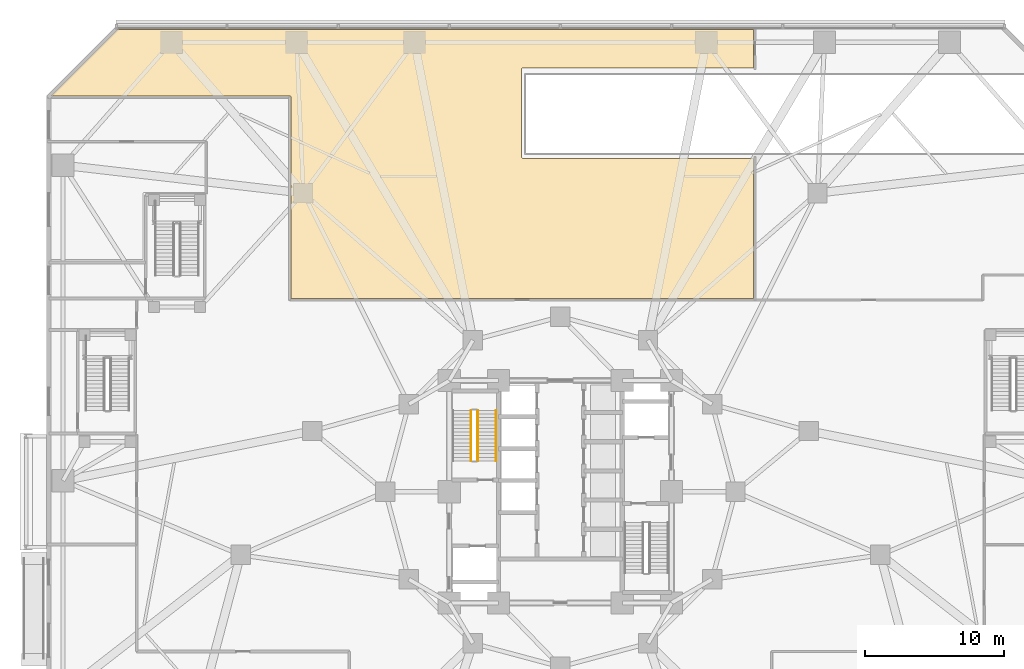
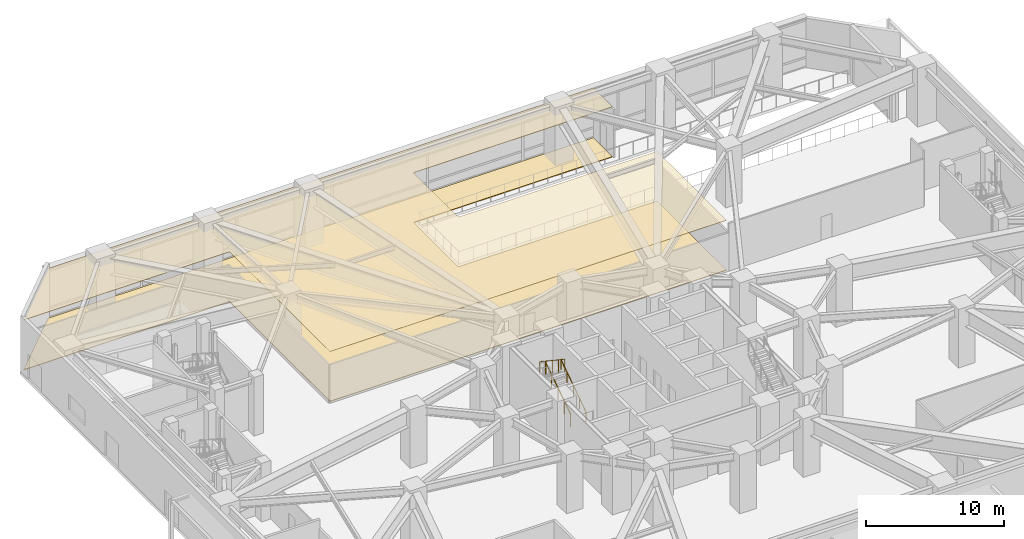
# One storey, part 26 of 30: 3 railings, 2 coverings.
"""IFC4 building model written with IfcOpenShell, lengths in metres."""

from ifc_helpers import new_model, si_unit, direction, frame, origin, origin_2d, place, context, subcontext, project, spatial, polyline, circle, outline, extrude, material, layer, layer_set, type_object, element, save


model = new_model("IFC4")

# Units and contexts
model_context = context("Model", 3, precision=1e-05, world=origin(), true_north=direction((0.0, 1.0)))
body_context = subcontext(model_context, "Body", "Model", "MODEL_VIEW")
ifc_project = project(units=[si_unit("LENGTHUNIT", "METRE"), si_unit("AREAUNIT", "SQUARE_METRE"), si_unit("VOLUMEUNIT", "CUBIC_METRE"), si_unit("PLANEANGLEUNIT", "RADIAN"), si_unit("MASSUNIT", "GRAM", prefix="KILO")], contexts=[model_context])

# Site, building, storey
site_placement = place(None, origin())
site = spatial("IfcSite", under=ifc_project, at=site_placement, CompositionType="ELEMENT")
building_placement = place(site_placement, origin())
building = spatial("IfcBuilding", under=site, at=building_placement, Name="Terralouvre Media Tower", CompositionType="ELEMENT")
storey_placement = place(building_placement, origin())
storey = spatial("IfcBuildingStorey", under=building, at=storey_placement, Name="L00", CompositionType="ELEMENT", Elevation=0.0)

# Coverings
ifc_material_1 = material(Name="Resilient elastomer acoustic broadcast studio flooring")
ifc_layer_1 = layer(ifc_material_1, 0.050048828125, Name="Broadcast Studio Acoustic Floating Floor FL-AC1")
ifc_layer_set_1 = layer_set([ifc_layer_1], Name="Resilient elastomer acoustic broadcast studio flooring")
covering_type_1 = type_object("IfcCoveringType", Name="Broadcast Studio Acoustic Floating Floor FL-AC1", PredefinedType="FLOORING", material=ifc_layer_set_1)
covering_1_placement = place(storey_placement, origin())
element("IfcCovering", 1, at=covering_1_placement, inside=storey, type_object=covering_type_1, Name="L00 Media Heritage Exhibition Hall Acoustic Floating Floor", PredefinedType="FLOORING", context=body_context, shape_type="SweptSolid", body=[
    extrude(outline(polyline([(-19.5, 28.5), (-19.490234375, 28.49951171875), (-19.48046875, 28.498046875), (-19.470947265625, 28.49560546875), (-19.461669921875, 28.492431640625), (-19.452880859375, 28.48828125), (-19.4443359375, 28.483154296875), (-19.4365234375, 28.477294921875), (-19.42919921875, 28.470703125), (-19.422607421875, 28.46337890625), (-19.4169921875, 28.45556640625), (-19.411865234375, 28.447021484375), (-19.40771484375, 28.438232421875), (-19.404296875, 28.428955078125), (-19.40185546875, 28.41943359375), (-19.400390625, 28.409912109375), (-19.39990234375, 28.39990234375), (-19.39990234375, 13.89990234375), (13.89990234375, 13.89990234375), (13.89990234375, 24.0), (-2.699951171875, 24.0), (-2.709716796875, 24.00048828125), (-2.719482421875, 24.001953125), (-2.72900390625, 24.00439453125), (-2.73828125, 24.007568359375), (-2.7470703125, 24.01171875), (-2.755615234375, 24.016845703125), (-2.763427734375, 24.022705078125), (-2.770751953125, 24.029296875), (-2.77734375, 24.03662109375), (-2.783203125, 24.04443359375), (-2.7880859375, 24.052978515625), (-2.79248046875, 24.061767578125), (-2.795654296875, 24.071044921875), (-2.798095703125, 24.08056640625), (-2.799560546875, 24.090087890625), (-2.800048828125, 24.10009765625), (-2.800048828125, 30.39990234375), (-2.799560546875, 30.409912109375), (-2.798095703125, 30.41943359375), (-2.795654296875, 30.428955078125), (-2.79248046875, 30.438232421875), (-2.7880859375, 30.447021484375), (-2.783203125, 30.45556640625), (-2.77734375, 30.46337890625), (-2.770751953125, 30.470703125), (-2.763427734375, 30.477294921875), (-2.755615234375, 30.483154296875), (-2.7470703125, 30.48828125), (-2.73828125, 30.492431640625), (-2.72900390625, 30.49560546875), (-2.719482421875, 30.498046875), (-2.709716796875, 30.49951171875), (-2.699951171875, 30.5), (13.89990234375, 30.5), (13.89990234375, 33.280029296875), (-31.90869140625, 33.280029296875), (-36.688720703125, 28.5), (-19.5, 28.5)])), origin(), (0.0, 0.0, 1.0), 0.050048828125),
])
ifc_material_2 = material(Name="Perforated aluminium acoustic ceiling baffle", Category="aluminium")
ifc_layer_2 = layer(ifc_material_2, 0.0400390625, Name="Perforated Acoustic Metal Tile Ceiling CL-AC1")
ifc_layer_set_2 = layer_set([ifc_layer_2], Name="Perforated aluminium acoustic ceiling baffle")
covering_type_2 = type_object("IfcCoveringType", Name="Perforated Acoustic Metal Tile Ceiling CL-AC1", PredefinedType="CEILING", material=ifc_layer_set_2)
covering_2_placement = place(storey_placement, frame((0.0, 0.0, 4.429931640625)))
element("IfcCovering", 2, at=covering_2_placement, inside=storey, type_object=covering_type_2, Name="L00 Media Heritage Exhibition Hall Acoustic Ceiling", PredefinedType="CEILING", context=body_context, shape_type="SweptSolid", body=[
    extrude(outline(polyline([(-19.5, 28.5), (-19.490234375, 28.49951171875), (-19.48046875, 28.498046875), (-19.470947265625, 28.49560546875), (-19.461669921875, 28.492431640625), (-19.452880859375, 28.48828125), (-19.4443359375, 28.483154296875), (-19.4365234375, 28.477294921875), (-19.42919921875, 28.470703125), (-19.422607421875, 28.46337890625), (-19.4169921875, 28.45556640625), (-19.411865234375, 28.447021484375), (-19.40771484375, 28.438232421875), (-19.404296875, 28.428955078125), (-19.40185546875, 28.41943359375), (-19.400390625, 28.409912109375), (-19.39990234375, 28.39990234375), (-19.39990234375, 13.89990234375), (13.89990234375, 13.89990234375), (13.89990234375, 24.0), (-2.699951171875, 24.0), (-2.709716796875, 24.00048828125), (-2.719482421875, 24.001953125), (-2.72900390625, 24.00439453125), (-2.73828125, 24.007568359375), (-2.7470703125, 24.01171875), (-2.755615234375, 24.016845703125), (-2.763427734375, 24.022705078125), (-2.770751953125, 24.029296875), (-2.77734375, 24.03662109375), (-2.783203125, 24.04443359375), (-2.7880859375, 24.052978515625), (-2.79248046875, 24.061767578125), (-2.795654296875, 24.071044921875), (-2.798095703125, 24.08056640625), (-2.799560546875, 24.090087890625), (-2.800048828125, 24.10009765625), (-2.800048828125, 30.39990234375), (-2.799560546875, 30.409912109375), (-2.798095703125, 30.41943359375), (-2.795654296875, 30.428955078125), (-2.79248046875, 30.438232421875), (-2.7880859375, 30.447021484375), (-2.783203125, 30.45556640625), (-2.77734375, 30.46337890625), (-2.770751953125, 30.470703125), (-2.763427734375, 30.477294921875), (-2.755615234375, 30.483154296875), (-2.7470703125, 30.48828125), (-2.73828125, 30.492431640625), (-2.72900390625, 30.49560546875), (-2.719482421875, 30.498046875), (-2.709716796875, 30.49951171875), (-2.699951171875, 30.5), (13.89990234375, 30.5), (13.89990234375, 33.280029296875), (-31.90869140625, 33.280029296875), (-36.688720703125, 28.5), (-19.5, 28.5)])), origin(), (0.0, 0.0, 1.0), 0.0400390625),
])

# Railings
ifc_material_3 = material(Name="Stainless steel 316 handrail and balustrade", Category="steel")
ifc_layer_3 = layer(ifc_material_3, 0.050048828125, Name="Stair Flight Wall Handrail HR-INT1")
ifc_layer_set_3 = layer_set([ifc_layer_3], Name="Stainless steel 316 handrail and balustrade")
railing_type_1 = type_object("IfcRailingType", Name="Stair Flight Wall Handrail HR-INT1", PredefinedType="HANDRAIL", material=ifc_layer_set_3)
railing_1_placement = place(storey_placement, frame((-4.64990234375, 2.219970703125, 0.17333984375)))
element("IfcRailing", 3, at=railing_1_placement, inside=storey, type_object=railing_type_1, Name="L00 ST-01 stair handrail 1", PredefinedType="HANDRAIL", context=body_context, shape_type="SweptSolid", body=[
    extrude(circle(Radius=0.02392578125, at=origin_2d()), frame((0.0, 0.0, 0.8759765625), z_axis=(0.0, 0.832050294338, 0.554700196225), x_axis=(-1.0, 0.0, 0.0)), (0.0, 0.0, 1.0), 4.375),
    extrude(circle(Radius=0.02099609375, at=origin_2d()), origin(), (0.0, 0.0, 1.0), 0.851806640625),
    extrude(circle(Radius=0.02099609375, at=origin_2d()), frame((0.0, 0.91015625, 0.606689453125)), (0.0, 0.0, 1.0), 0.851806640625),
    extrude(circle(Radius=0.02099609375, at=origin_2d()), frame((0.0, 1.820068359375, 1.21337890625)), (0.0, 0.0, 1.0), 0.851806640625),
    extrude(circle(Radius=0.02099609375, at=origin_2d()), frame((0.0, 2.72998046875, 1.820068359375)), (0.0, 0.0, 1.0), 0.851806640625),
    extrude(circle(Radius=0.02099609375, at=origin_2d()), frame((0.0, 3.64013671875, 2.4267578125)), (0.0, 0.0, 1.0), 0.851806640625),
])
ifc_material_4 = material(Name="Stainless steel 316 handrail and balustrade", Category="steel")
ifc_layer_4 = layer(ifc_material_4, 0.050048828125, Name="Stairwell Safety Guardrail GR-INT1")
ifc_layer_set_4 = layer_set([ifc_layer_4], Name="Stainless steel 316 handrail and balustrade")
railing_type_2 = type_object("IfcRailingType", Name="Stairwell Safety Guardrail GR-INT1", PredefinedType="GUARDRAIL", material=ifc_layer_set_4)
railing_2_placement = place(storey_placement, frame((-5.949951171875, 2.219970703125, 0.17333984375)))
element("IfcRailing", 4, at=railing_2_placement, inside=storey, type_object=railing_type_2, Name="L00 ST-01 stair guard 1", PredefinedType="GUARDRAIL", context=body_context, shape_type="SweptSolid", body=[
    extrude(circle(Radius=0.02392578125, at=origin_2d()), frame((0.0, 0.0, 1.1259765625), z_axis=(0.0, 0.832050294338, 0.554700196225), x_axis=(-1.0, 0.0, 0.0)), (0.0, 0.0, 1.0), 4.375),
    extrude(circle(Radius=0.02099609375, at=origin_2d()), origin(), (0.0, 0.0, 1.0), 1.101806640625),
    extrude(circle(Radius=0.02099609375, at=origin_2d()), frame((0.0, 0.91015625, 0.606689453125)), (0.0, 0.0, 1.0), 1.101806640625),
    extrude(circle(Radius=0.02099609375, at=origin_2d()), frame((0.0, 1.820068359375, 1.21337890625)), (0.0, 0.0, 1.0), 1.101806640625),
    extrude(circle(Radius=0.02099609375, at=origin_2d()), frame((0.0, 2.72998046875, 1.820068359375)), (0.0, 0.0, 1.0), 1.101806640625),
    extrude(circle(Radius=0.02099609375, at=origin_2d()), frame((0.0, 3.64013671875, 2.4267578125)), (0.0, 0.0, 1.0), 1.101806640625),
])
railing_3_placement = place(storey_placement, frame((-6.429931640625, 5.860107421875, 2.7734375)))
element("IfcRailing", 5, at=railing_3_placement, inside=storey, type_object=railing_type_2, Name="L00 ST-01 stair guard 3", PredefinedType="GUARDRAIL", context=body_context, shape_type="SweptSolid", body=[
    extrude(circle(Radius=0.02392578125, at=origin_2d()), frame((0.0, 0.0, 1.1259765625), z_axis=(0.0, -0.832076050322, 0.554661560305), x_axis=(1.0, 0.0, 0.0)), (0.0, 0.0, 1.0), 4.374755859375),
    extrude(circle(Radius=0.02099609375, at=origin_2d()), origin(), (0.0, 0.0, 1.0), 1.101806640625),
    extrude(circle(Radius=0.02099609375, at=origin_2d()), frame((0.0, -0.91015625, 0.606689453125)), (0.0, 0.0, 1.0), 1.101806640625),
    extrude(circle(Radius=0.02099609375, at=origin_2d()), frame((0.0, -1.820068359375, 1.21337890625)), (0.0, 0.0, 1.0), 1.101806640625),
    extrude(circle(Radius=0.02099609375, at=origin_2d()), frame((0.0, -2.72998046875, 1.81982421875)), (0.0, 0.0, 1.0), 1.101806640625),
    extrude(circle(Radius=0.02099609375, at=origin_2d()), frame((0.0, -3.64013671875, 2.426513671875)), (0.0, 0.0, 1.0), 1.101806640625),
])

save(model, "model.ifc")
